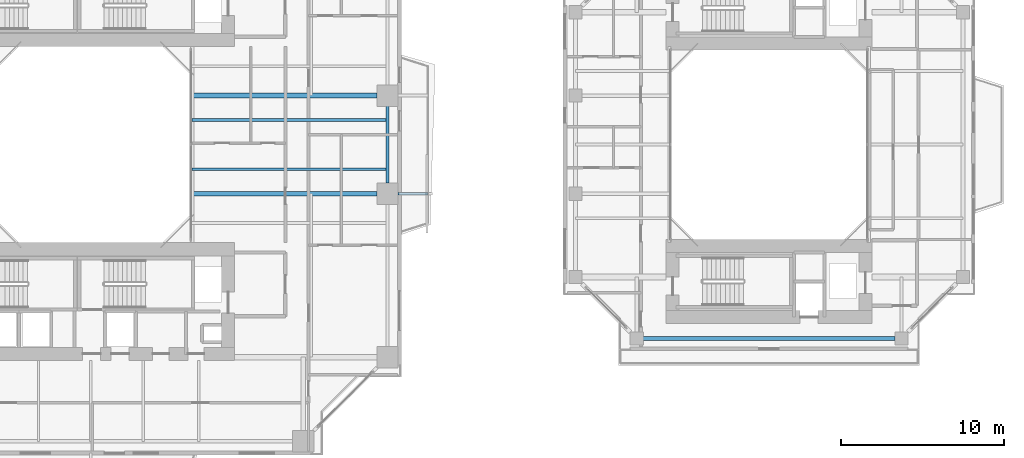
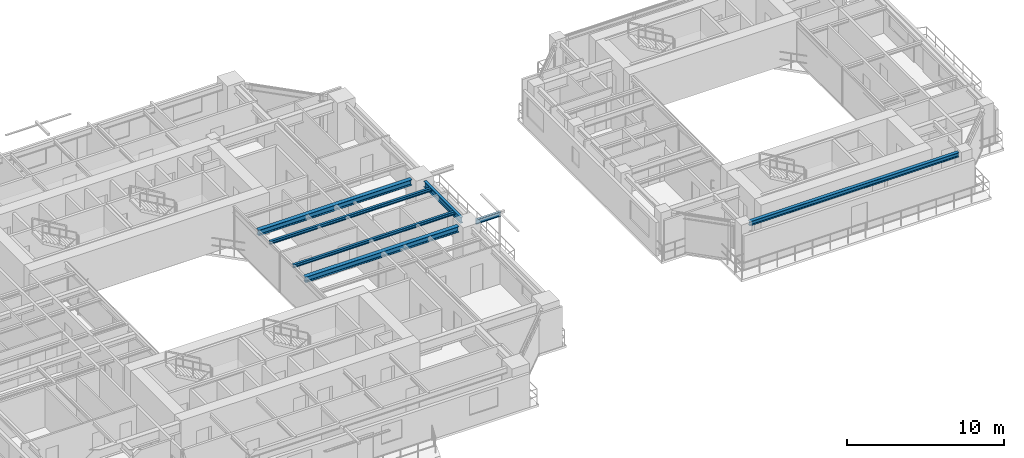
# One storey, part 6 of 24: 7 beams.
"""IFC4 building model written with IfcOpenShell, lengths in metres."""

from ifc_helpers import new_model, si_unit, direction, frame, origin, origin_2d, place, context, subcontext, project, spatial, i_section, extrude, source, transform, mapped, material, material_profile, profile_set, type_object, element, save


model = new_model("IFC4")

# Units and contexts
model_context = context("Model", 3, precision=1e-05, world=origin(), true_north=direction((0.0, 1.0)))
body_context = subcontext(model_context, "Body", "Model", "MODEL_VIEW")
ifc_project = project(units=[si_unit("LENGTHUNIT", "METRE"), si_unit("AREAUNIT", "SQUARE_METRE"), si_unit("VOLUMEUNIT", "CUBIC_METRE"), si_unit("PLANEANGLEUNIT", "RADIAN"), si_unit("MASSUNIT", "GRAM", prefix="KILO"), si_unit("THERMODYNAMICTEMPERATUREUNIT", "KELVIN"), si_unit("POWERUNIT", "WATT")], contexts=[model_context])

# Site, building, storey
site_placement = place(None, origin())
site = spatial("IfcSite", under=ifc_project, at=site_placement, CompositionType="ELEMENT")
building_placement = place(site_placement, origin())
building = spatial("IfcBuilding", under=site, at=building_placement, Name="Qiaomeng Ring Towers", CompositionType="ELEMENT")
storey_placement = place(building_placement, frame((0.0, 0.0, 69.75)))
storey = spatial("IfcBuildingStorey", under=building, at=storey_placement, Name="L19", CompositionType="ELEMENT", Elevation=69.75)

# Beams
ifc_material = material(Name="Steel Q355B", Category="steel")
ifc_material_profile_1 = material_profile(ifc_material, i_section(OverallWidth=0.199951171875, OverallDepth=0.449951171875, WebThickness=0.009033203125, FlangeThickness=0.013916015625, FilletRadius=0.01806640625, at=origin_2d()), Name="HN 450x200x9x14")
ifc_profile_set_1 = profile_set([ifc_material_profile_1], Name="Steel Q355B")
beam_type_1 = type_object("IfcBeamType", Name="STR-BM-HN450", PredefinedType="SPANDREL", material=ifc_profile_set_1)
shared_shape_1 = source(origin(), body_context, "Body", "SweptSolid", [
    extrude(i_section(OverallWidth=0.199951171875, OverallDepth=0.449951171875, WebThickness=0.009033203125, FlangeThickness=0.013916015625, FilletRadius=0.01806640625, at=origin_2d()), origin(), (0.0, 0.0, 1.0), 4.7021484375),
])
beam_1_placement = place(storey_placement, frame((37.14990234375, 20.64892578125, 2.844970703125), z_axis=(0.0, 1.0, 0.0), x_axis=(-1.0, 0.0, 0.0)))
element("IfcBeam", 1, at=beam_1_placement, inside=storey, type_object=beam_type_1, Name="L19 beam STR-SP-L19-T1-E2-E3", PredefinedType="SPANDREL", context=body_context, shape_type="MappedRepresentation", body=[
    mapped(shared_shape_1, transform((0.0, 0.0, 0.0), x_axis=(1.0, 0.0, 0.0), y_axis=(0.0, 1.0, 0.0), z_axis=(0.0, 0.0, 1.0), scale=1.0)),
])
ifc_material_profile_2 = material_profile(ifc_material, i_section(OverallWidth=0.300048828125, OverallDepth=0.43994140625, WebThickness=0.010986328125, FlangeThickness=0.01806640625, FilletRadius=0.02392578125, at=origin_2d()), Name="HM 440x300x11x18")
ifc_profile_set_2 = profile_set([ifc_material_profile_2], Name="Steel Q355B")
beam_type_2 = type_object("IfcBeamType", Name="STR-BM-HM440", PredefinedType="BEAM", material=ifc_profile_set_2)
shared_shape_2 = source(origin(), body_context, "Body", "SweptSolid", [
    extrude(i_section(OverallWidth=0.300048828125, OverallDepth=0.43994140625, WebThickness=0.010986328125, FlangeThickness=0.01806640625, FilletRadius=0.02392578125, at=origin_2d()), origin(), (0.0, 0.0, 1.0), 11.301025390625),
])
for number, where, z_axis, x_axis, name in (
    (2, (25.199951171875, 20.0, 2.85009765625), (1.0, 0.0, 0.0), (0.0, 1.0, 0.0), "L19 beam STR-BM-L19-T1-RAD-E2"),
    (3, (25.199951171875, 26.0, 2.85009765625), (1.0, 0.0, 0.0), (0.0, 1.0, 0.0), "L19 beam STR-BM-L19-T1-RAD-E3"),
):
    element("IfcBeam", number, at=place(storey_placement, frame(where, z_axis=z_axis, x_axis=x_axis)), inside=storey, type_object=beam_type_2, Name=name, PredefinedType="BEAM", context=body_context, shape_type="MappedRepresentation", body=[
        mapped(shared_shape_2, transform((0.0, 0.0, 0.0), x_axis=(1.0, 0.0, 0.0), y_axis=(0.0, 1.0, 0.0), z_axis=(0.0, 0.0, 1.0), scale=1.0)),
    ])
ifc_material_profile_3 = material_profile(ifc_material, i_section(OverallWidth=0.175048828125, OverallDepth=0.35009765625, WebThickness=0.007080078125, FlangeThickness=0.010986328125, FilletRadius=0.013916015625, at=origin_2d()), Name="HN 350x175x7x11")
ifc_profile_set_3 = profile_set([ifc_material_profile_3], Name="Steel Q355B")
beam_type_3 = type_object("IfcBeamType", Name="STR-BM-HN350", PredefinedType="JOIST", material=ifc_profile_set_3)
shared_shape_3 = source(origin(), body_context, "Body", "SweptSolid", [
    extrude(i_section(OverallWidth=0.175048828125, OverallDepth=0.35009765625, WebThickness=0.007080078125, FlangeThickness=0.010986328125, FilletRadius=0.013916015625, at=origin_2d()), origin(), (0.0, 0.0, 1.0), 1.821044921875),
])
beam_2_placement = place(storey_placement, frame((37.799072265625, 20.0, 2.89501953125), z_axis=(1.0, 0.0, 0.0), x_axis=(0.0, 1.0, 0.0)))
element("IfcBeam", 4, at=beam_2_placement, inside=storey, type_object=beam_type_3, Name="L19 beam STR-BALBM-L19-E2", PredefinedType="JOIST", context=body_context, shape_type="MappedRepresentation", body=[
    mapped(shared_shape_3, transform((0.0, 0.0, 0.0), x_axis=(1.0, 0.0, 0.0), y_axis=(0.0, 1.0, 0.0), z_axis=(0.0, 0.0, 1.0), scale=1.0)),
])
ifc_material_profile_4 = material_profile(ifc_material, i_section(OverallWidth=0.175048828125, OverallDepth=0.243896484375, WebThickness=0.007080078125, FlangeThickness=0.010986328125, FilletRadius=0.01611328125, at=origin_2d()), Name="HM 244x175x7x11")
ifc_profile_set_4 = profile_set([ifc_material_profile_4], Name="Steel Q355B")
beam_type_4 = type_object("IfcBeamType", Name="STR-BM-HM244", PredefinedType="JOIST", material=ifc_profile_set_4)
shared_shape_4 = source(origin(), body_context, "Body", "SweptSolid", [
    extrude(i_section(OverallWidth=0.175048828125, OverallDepth=0.243896484375, WebThickness=0.007080078125, FlangeThickness=0.010986328125, FilletRadius=0.01611328125, at=origin_2d()), origin(), (0.0, 0.0, 1.0), 11.949951171875),
])
for number, where, z_axis, x_axis, name in (
    (5, (25.199951171875, 21.5, 2.947998046875), (1.0, 0.0, 0.0), (0.0, 1.0, 0.0), "L19 beam STR-JST-L19-T1E-2"),
    (6, (25.199951171875, 24.5, 2.947998046875), (1.0, 0.0, 0.0), (0.0, 1.0, 0.0), "L19 beam STR-JST-L19-T1E-3"),
):
    element("IfcBeam", number, at=place(storey_placement, frame(where, z_axis=z_axis, x_axis=x_axis)), inside=storey, type_object=beam_type_4, Name=name, PredefinedType="JOIST", context=body_context, shape_type="MappedRepresentation", body=[
        mapped(shared_shape_4, transform((0.0, 0.0, 0.0), x_axis=(1.0, 0.0, 0.0), y_axis=(0.0, 1.0, 0.0), z_axis=(0.0, 0.0, 1.0), scale=1.0)),
    ])
ifc_material_profile_5 = material_profile(ifc_material, i_section(OverallWidth=0.25, OverallDepth=0.340087890625, WebThickness=0.009033203125, FlangeThickness=0.013916015625, FilletRadius=0.02001953125, at=origin_2d()), Name="HM 340x250x9x14")
ifc_profile_set_5 = profile_set([ifc_material_profile_5], Name="Steel Q355B")
beam_type_5 = type_object("IfcBeamType", Name="STR-BM-HM340", PredefinedType="SPANDREL", material=ifc_profile_set_5)
shared_shape_5 = source(origin(), body_context, "Body", "SweptSolid", [
    extrude(i_section(OverallWidth=0.25, OverallDepth=0.340087890625, WebThickness=0.009033203125, FlangeThickness=0.013916015625, FilletRadius=0.02001953125, at=origin_2d()), origin(), (0.0, 0.0, 1.0), 15.40185546875),
])
beam_3_placement = place(storey_placement, frame((52.799072265625, 11.14990234375, 2.89990234375), z_axis=(1.0, 0.0, 0.0), x_axis=(0.0, 1.0, 0.0)))
element("IfcBeam", 7, at=beam_3_placement, inside=storey, type_object=beam_type_5, Name="L19 beam STR-SP-L19-T2-S1-S2", PredefinedType="SPANDREL", context=body_context, shape_type="MappedRepresentation", body=[
    mapped(shared_shape_5, transform((0.0, 0.0, 0.0), x_axis=(1.0, 0.0, 0.0), y_axis=(0.0, 1.0, 0.0), z_axis=(0.0, 0.0, 1.0), scale=1.0)),
])

save(model, "model.ifc")
